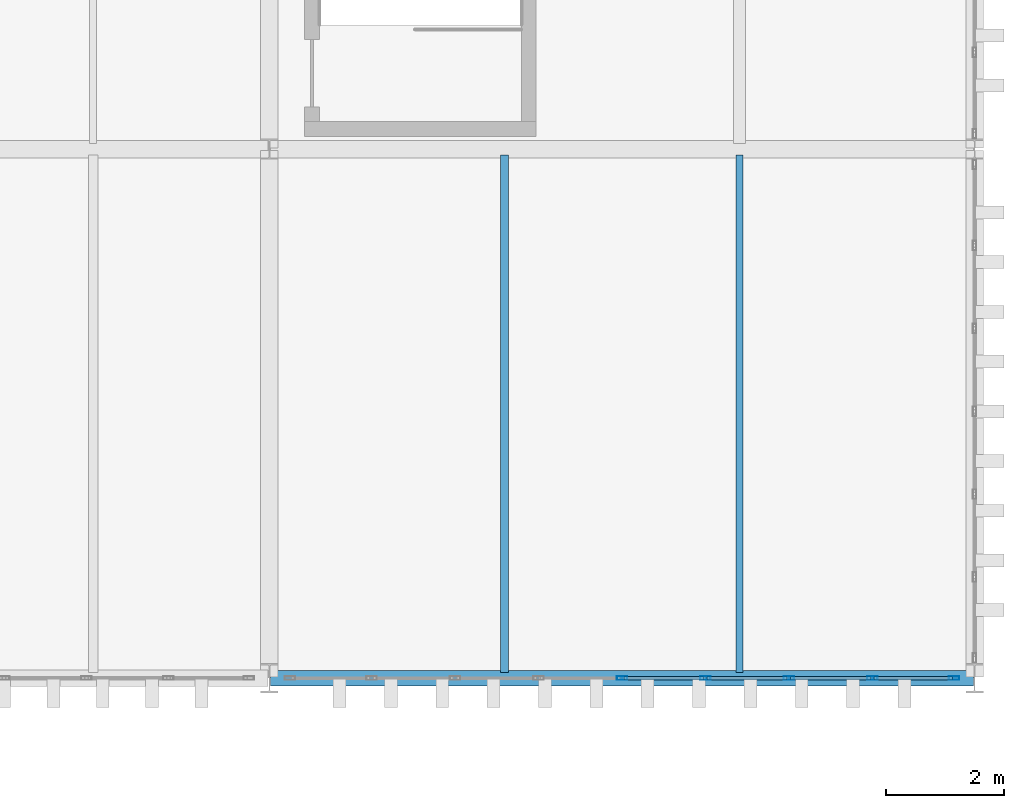
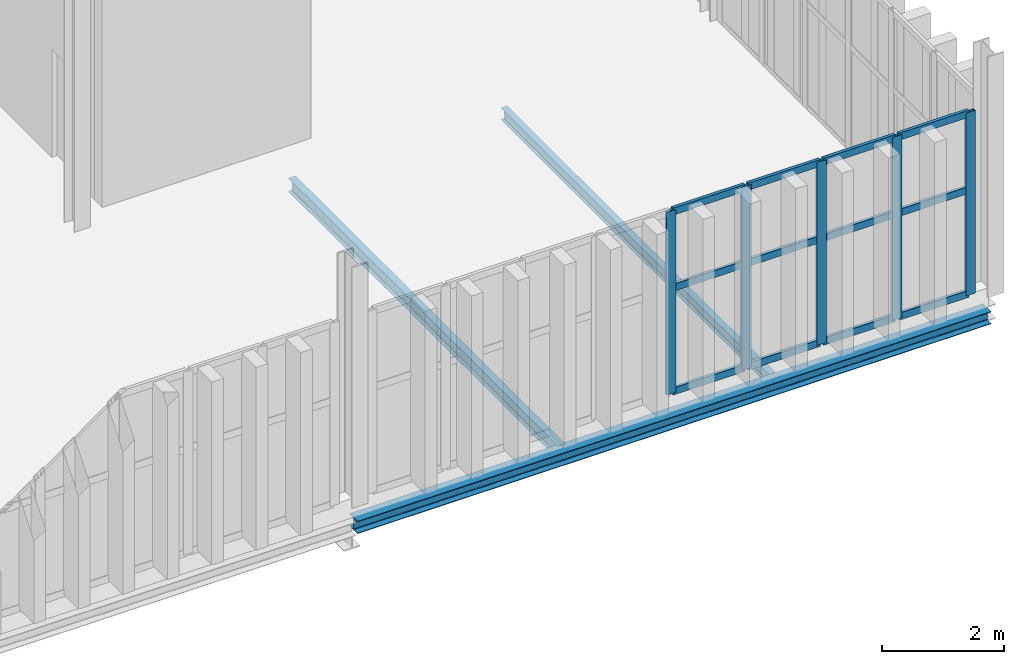
# One storey, part 107 of 196: 17 members, 3 beams, 1 element without a shape of its own.
"""IFC4 building model written with IfcOpenShell, lengths in metres."""

from ifc_helpers import new_model, si_unit, direction, frame, origin, origin_2d, place, context, subcontext, project, spatial, hollow_rectangle, i_section, extrude, material, layer, layer_set, material_profile, profile_set, type_object, element, aggregate, save


model = new_model("IFC4")

# Units and contexts
model_context = context("Model", 3, precision=1e-05, world=origin(), true_north=direction((0.0, 1.0)))
body_context = subcontext(model_context, "Body", "Model", "MODEL_VIEW")
ifc_project = project(units=[si_unit("LENGTHUNIT", "METRE"), si_unit("AREAUNIT", "SQUARE_METRE"), si_unit("VOLUMEUNIT", "CUBIC_METRE"), si_unit("PLANEANGLEUNIT", "RADIAN"), si_unit("MASSUNIT", "GRAM", prefix="KILO")], contexts=[model_context])

# Site, building, storey
site_placement = place(None, origin())
site = spatial("IfcSite", under=ifc_project, at=site_placement, CompositionType="ELEMENT")
building_placement = place(site_placement, origin())
building = spatial("IfcBuilding", under=site, at=building_placement, Name="Barlavento Convention Centre", CompositionType="ELEMENT")
storey_placement = place(building_placement, frame((0.0, 0.0, 18.0)))
storey = spatial("IfcBuildingStorey", under=building, at=storey_placement, Name="L03", CompositionType="ELEMENT", Elevation=18.0)

# Curtain wall, members
ifc_material_1 = material(Name="Powder-coated aluminium and Low-E glass", Category="aluminium")
ifc_layer = layer(ifc_material_1, 0.179931640625)
ifc_layer_set = layer_set([ifc_layer], Name="ARC-CW-CONF-L03")
curtain_wall_type = type_object("IfcCurtainWallType", Name="ARC-CW-CONF-L03", PredefinedType="NOTDEFINED", material=ifc_layer_set)
curtain_wall_placement = place(storey_placement, origin())
curtain_wall = element("IfcCurtainWall", 1, at=curtain_wall_placement, inside=storey, type_object=curtain_wall_type, Name="L03 unitised curtain wall CW08", PredefinedType="NOTDEFINED")
ifc_material_2 = material(Name="Powder-coated aluminium", Category="aluminium")
ifc_material_profile_1 = material_profile(ifc_material_2, hollow_rectangle(XDim=0.06005859375, YDim=0.179931640625, WallThickness=0.0048828125, at=origin_2d()), Name="AL-MULL 60x180x5")
ifc_profile_set_1 = profile_set([ifc_material_profile_1], Name="Powder-coated aluminium")
member_type_1 = type_object("IfcMemberType", Name="ARC-CWM-60X180", PredefinedType="MULLION", material=ifc_profile_set_1)
member_1_placement = place(storey_placement, frame((186.0, 0.0, 0.0), z_axis=(0.0, 0.0, 1.0), x_axis=(0.0, 1.0, 0.0)))
member_1 = element("IfcMember", 2, at=member_1_placement, type_object=member_type_1, Name="CW08 mullion 5", PredefinedType="MULLION", context=body_context, shape_type="SweptSolid", body=[
    extrude(hollow_rectangle(XDim=0.06005859375, YDim=0.179931640625, WallThickness=0.0048828125, at=origin_2d()), origin(), (0.0, 0.0, 1.0), 3.64990234375),
])
member_2_placement = place(storey_placement, frame((187.419921875, 0.0, 0.0), z_axis=(0.0, 0.0, 1.0), x_axis=(0.0, 1.0, 0.0)))
member_2 = element("IfcMember", 3, at=member_2_placement, type_object=member_type_1, Name="CW08 mullion 6", PredefinedType="MULLION", context=body_context, shape_type="SweptSolid", body=[
    extrude(hollow_rectangle(XDim=0.06005859375, YDim=0.179931640625, WallThickness=0.0048828125, at=origin_2d()), origin(), (0.0, 0.0, 1.0), 3.64990234375),
])
member_3_placement = place(storey_placement, frame((188.840087890625, 0.0, 0.0), z_axis=(0.0, 0.0, 1.0), x_axis=(0.0, 1.0, 0.0)))
member_3 = element("IfcMember", 4, at=member_3_placement, type_object=member_type_1, Name="CW08 mullion 7", PredefinedType="MULLION", context=body_context, shape_type="SweptSolid", body=[
    extrude(hollow_rectangle(XDim=0.06005859375, YDim=0.179931640625, WallThickness=0.0048828125, at=origin_2d()), origin(), (0.0, 0.0, 1.0), 3.64990234375),
])
member_4_placement = place(storey_placement, frame((190.260009765625, 0.0, 0.0), z_axis=(0.0, 0.0, 1.0), x_axis=(0.0, 1.0, 0.0)))
member_4 = element("IfcMember", 5, at=member_4_placement, type_object=member_type_1, Name="CW08 mullion 8", PredefinedType="MULLION", context=body_context, shape_type="SweptSolid", body=[
    extrude(hollow_rectangle(XDim=0.06005859375, YDim=0.179931640625, WallThickness=0.0048828125, at=origin_2d()), origin(), (0.0, 0.0, 1.0), 3.64990234375),
])
member_5_placement = place(storey_placement, frame((191.64990234375, 0.0, 0.0), z_axis=(0.0, 0.0, 1.0), x_axis=(0.0, 1.0, 0.0)))
member_5 = element("IfcMember", 6, at=member_5_placement, type_object=member_type_1, Name="CW08 mullion 9", PredefinedType="MULLION", context=body_context, shape_type="SweptSolid", body=[
    extrude(hollow_rectangle(XDim=0.06005859375, YDim=0.179931640625, WallThickness=0.0048828125, at=origin_2d()), origin(), (0.0, 0.0, 1.0), 3.64990234375),
])
ifc_material_profile_2 = material_profile(ifc_material_2, hollow_rectangle(XDim=0.06005859375, YDim=0.139892578125, WallThickness=0.00390625, at=origin_2d()), Name="AL-TRAN 60x140x4")
ifc_profile_set_2 = profile_set([ifc_material_profile_2], Name="Powder-coated aluminium")
member_type_2 = type_object("IfcMemberType", Name="ARC-CWT-60X140", PredefinedType="USERDEFINED", material=ifc_profile_set_2)
member_6_placement = place(storey_placement, frame((186.030029296875, 0.0, 0.030029296875), z_axis=(1.0, 0.0, 0.0), x_axis=(0.0, 1.0, 0.0)))
member_6 = element("IfcMember", 7, at=member_6_placement, type_object=member_type_2, Name="CW08 transom 5.1", ObjectType="TRANSOM", PredefinedType="USERDEFINED", context=body_context, shape_type="SweptSolid", body=[
    extrude(hollow_rectangle(XDim=0.06005859375, YDim=0.139892578125, WallThickness=0.00390625, at=origin_2d()), origin(), (0.0, 0.0, 1.0), 1.35986328125),
])
member_7_placement = place(storey_placement, frame((186.030029296875, 0.0, 2.10009765625), z_axis=(1.0, 0.0, 0.0), x_axis=(0.0, 1.0, 0.0)))
member_7 = element("IfcMember", 8, at=member_7_placement, type_object=member_type_2, Name="CW08 transom 5.2", ObjectType="TRANSOM", PredefinedType="USERDEFINED", context=body_context, shape_type="SweptSolid", body=[
    extrude(hollow_rectangle(XDim=0.06005859375, YDim=0.139892578125, WallThickness=0.00390625, at=origin_2d()), origin(), (0.0, 0.0, 1.0), 1.35986328125),
])
member_8_placement = place(storey_placement, frame((186.030029296875, 0.0, 3.6201171875), z_axis=(1.0, 0.0, 0.0), x_axis=(0.0, 1.0, 0.0)))
member_8 = element("IfcMember", 9, at=member_8_placement, type_object=member_type_2, Name="CW08 transom 5.3", ObjectType="TRANSOM", PredefinedType="USERDEFINED", context=body_context, shape_type="SweptSolid", body=[
    extrude(hollow_rectangle(XDim=0.06005859375, YDim=0.139892578125, WallThickness=0.00390625, at=origin_2d()), origin(), (0.0, 0.0, 1.0), 1.35986328125),
])
member_9_placement = place(storey_placement, frame((187.449951171875, 0.0, 0.030029296875), z_axis=(1.0, 0.0, 0.0), x_axis=(0.0, 1.0, 0.0)))
member_9 = element("IfcMember", 10, at=member_9_placement, type_object=member_type_2, Name="CW08 transom 6.1", ObjectType="TRANSOM", PredefinedType="USERDEFINED", context=body_context, shape_type="SweptSolid", body=[
    extrude(hollow_rectangle(XDim=0.06005859375, YDim=0.139892578125, WallThickness=0.00390625, at=origin_2d()), origin(), (0.0, 0.0, 1.0), 1.360107421875),
])
member_10_placement = place(storey_placement, frame((187.449951171875, 0.0, 2.10009765625), z_axis=(1.0, 0.0, 0.0), x_axis=(0.0, 1.0, 0.0)))
member_10 = element("IfcMember", 11, at=member_10_placement, type_object=member_type_2, Name="CW08 transom 6.2", ObjectType="TRANSOM", PredefinedType="USERDEFINED", context=body_context, shape_type="SweptSolid", body=[
    extrude(hollow_rectangle(XDim=0.06005859375, YDim=0.139892578125, WallThickness=0.00390625, at=origin_2d()), origin(), (0.0, 0.0, 1.0), 1.360107421875),
])
member_11_placement = place(storey_placement, frame((187.449951171875, 0.0, 3.6201171875), z_axis=(1.0, 0.0, 0.0), x_axis=(0.0, 1.0, 0.0)))
member_11 = element("IfcMember", 12, at=member_11_placement, type_object=member_type_2, Name="CW08 transom 6.3", ObjectType="TRANSOM", PredefinedType="USERDEFINED", context=body_context, shape_type="SweptSolid", body=[
    extrude(hollow_rectangle(XDim=0.06005859375, YDim=0.139892578125, WallThickness=0.00390625, at=origin_2d()), origin(), (0.0, 0.0, 1.0), 1.360107421875),
])
member_12_placement = place(storey_placement, frame((188.8701171875, 0.0, 0.030029296875), z_axis=(1.0, 0.0, 0.0), x_axis=(0.0, 1.0, 0.0)))
member_12 = element("IfcMember", 13, at=member_12_placement, type_object=member_type_2, Name="CW08 transom 7.1", ObjectType="TRANSOM", PredefinedType="USERDEFINED", context=body_context, shape_type="SweptSolid", body=[
    extrude(hollow_rectangle(XDim=0.06005859375, YDim=0.139892578125, WallThickness=0.00390625, at=origin_2d()), origin(), (0.0, 0.0, 1.0), 1.35986328125),
])
member_13_placement = place(storey_placement, frame((188.8701171875, 0.0, 2.10009765625), z_axis=(1.0, 0.0, 0.0), x_axis=(0.0, 1.0, 0.0)))
member_13 = element("IfcMember", 14, at=member_13_placement, type_object=member_type_2, Name="CW08 transom 7.2", ObjectType="TRANSOM", PredefinedType="USERDEFINED", context=body_context, shape_type="SweptSolid", body=[
    extrude(hollow_rectangle(XDim=0.06005859375, YDim=0.139892578125, WallThickness=0.00390625, at=origin_2d()), origin(), (0.0, 0.0, 1.0), 1.35986328125),
])
member_14_placement = place(storey_placement, frame((188.8701171875, 0.0, 3.6201171875), z_axis=(1.0, 0.0, 0.0), x_axis=(0.0, 1.0, 0.0)))
member_14 = element("IfcMember", 15, at=member_14_placement, type_object=member_type_2, Name="CW08 transom 7.3", ObjectType="TRANSOM", PredefinedType="USERDEFINED", context=body_context, shape_type="SweptSolid", body=[
    extrude(hollow_rectangle(XDim=0.06005859375, YDim=0.139892578125, WallThickness=0.00390625, at=origin_2d()), origin(), (0.0, 0.0, 1.0), 1.35986328125),
])
member_15_placement = place(storey_placement, frame((190.2900390625, 0.0, 0.030029296875), z_axis=(1.0, 0.0, 0.0), x_axis=(0.0, 1.0, 0.0)))
member_15 = element("IfcMember", 16, at=member_15_placement, type_object=member_type_2, Name="CW08 transom 8.1", ObjectType="TRANSOM", PredefinedType="USERDEFINED", context=body_context, shape_type="SweptSolid", body=[
    extrude(hollow_rectangle(XDim=0.06005859375, YDim=0.139892578125, WallThickness=0.00390625, at=origin_2d()), origin(), (0.0, 0.0, 1.0), 1.330078125),
])
member_16_placement = place(storey_placement, frame((190.2900390625, 0.0, 2.10009765625), z_axis=(1.0, 0.0, 0.0), x_axis=(0.0, 1.0, 0.0)))
member_16 = element("IfcMember", 17, at=member_16_placement, type_object=member_type_2, Name="CW08 transom 8.2", ObjectType="TRANSOM", PredefinedType="USERDEFINED", context=body_context, shape_type="SweptSolid", body=[
    extrude(hollow_rectangle(XDim=0.06005859375, YDim=0.139892578125, WallThickness=0.00390625, at=origin_2d()), origin(), (0.0, 0.0, 1.0), 1.330078125),
])
member_17_placement = place(storey_placement, frame((190.2900390625, 0.0, 3.6201171875), z_axis=(1.0, 0.0, 0.0), x_axis=(0.0, 1.0, 0.0)))
member_17 = element("IfcMember", 18, at=member_17_placement, type_object=member_type_2, Name="CW08 transom 8.3", ObjectType="TRANSOM", PredefinedType="USERDEFINED", context=body_context, shape_type="SweptSolid", body=[
    extrude(hollow_rectangle(XDim=0.06005859375, YDim=0.139892578125, WallThickness=0.00390625, at=origin_2d()), origin(), (0.0, 0.0, 1.0), 1.330078125),
])
aggregate(curtain_wall, [member_1, member_2, member_3, member_4, member_5, member_6, member_7, member_8, member_9, member_10, member_11, member_12, member_13, member_14, member_15, member_16, member_17])

# Beams
ifc_material_3 = material(Name="Steel S355", Category="steel")
ifc_material_profile_3 = material_profile(ifc_material_3, i_section(OverallWidth=0.1201171875, OverallDepth=0.239990234375, WebThickness=0.006103515625, FlangeThickness=0.009765625, FilletRadius=0.014892578125, at=origin_2d()), Name="IPE 240")
ifc_profile_set_3 = profile_set([ifc_material_profile_3], Name="Steel S355")
beam_type_1 = type_object("IfcBeamType", Name="STR-BM-JST-IPE240", PredefinedType="JOIST", material=ifc_profile_set_3)
beam_1_placement = place(storey_placement, frame((188.0, 0.094970703125, -0.510009765625), z_axis=(0.0, 1.0, 0.0), x_axis=(-1.0, 0.0, 0.0)))
element("IfcBeam", 19, at=beam_1_placement, inside=storey, type_object=beam_type_1, Name="L03 composite floor joist SJ09", PredefinedType="JOIST", context=body_context, shape_type="SweptSolid", body=[
    extrude(i_section(OverallWidth=0.1201171875, OverallDepth=0.239990234375, WebThickness=0.006103515625, FlangeThickness=0.009765625, FilletRadius=0.014892578125, at=origin_2d()), origin(), (0.0, 0.0, 1.0), 8.81005859375),
])
ifc_material_profile_4 = material_profile(ifc_material_3, i_section(OverallWidth=0.135009765625, OverallDepth=0.27001953125, WebThickness=0.006591796875, FlangeThickness=0.01025390625, FilletRadius=0.014892578125, at=origin_2d()), Name="IPE 270")
ifc_profile_set_4 = profile_set([ifc_material_profile_4], Name="Steel S355")
beam_type_2 = type_object("IfcBeamType", Name="STR-BM-JST-IPE270", PredefinedType="JOIST", material=ifc_profile_set_4)
beam_2_placement = place(storey_placement, frame((184.0, 0.094970703125, -0.52490234375), z_axis=(0.0, 1.0, 0.0), x_axis=(-1.0, 0.0, 0.0)))
element("IfcBeam", 20, at=beam_2_placement, inside=storey, type_object=beam_type_2, Name="L03 composite floor joist SJ08", PredefinedType="JOIST", context=body_context, shape_type="SweptSolid", body=[
    extrude(i_section(OverallWidth=0.135009765625, OverallDepth=0.27001953125, WebThickness=0.006591796875, FlangeThickness=0.01025390625, FilletRadius=0.014892578125, at=origin_2d()), origin(), (0.0, 0.0, 1.0), 8.81005859375),
])
ifc_material_profile_5 = material_profile(ifc_material_3, i_section(OverallWidth=0.260009765625, OverallDepth=0.25, WebThickness=0.007568359375, FlangeThickness=0.012451171875, FilletRadius=0.02392578125, at=origin_2d()), Name="HEA 260")
ifc_profile_set_5 = profile_set([ifc_material_profile_5], Name="Steel S355")
beam_type_3 = type_object("IfcBeamType", Name="STR-BM-SPN-HEA260", PredefinedType="SPANDREL", material=ifc_profile_set_5)
beam_3_placement = place(storey_placement, frame((180.02001953125, 0.0, -0.514892578125), z_axis=(1.0, 0.0, 0.0), x_axis=(0.0, 1.0, 0.0)))
element("IfcBeam", 21, at=beam_3_placement, inside=storey, type_object=beam_type_3, Name="L03 primary girder SP04", PredefinedType="SPANDREL", context=body_context, shape_type="SweptSolid", body=[
    extrude(i_section(OverallWidth=0.260009765625, OverallDepth=0.25, WebThickness=0.007568359375, FlangeThickness=0.012451171875, FilletRadius=0.02392578125, at=origin_2d()), origin(), (0.0, 0.0, 1.0), 11.9599609375),
])

save(model, "model.ifc")
